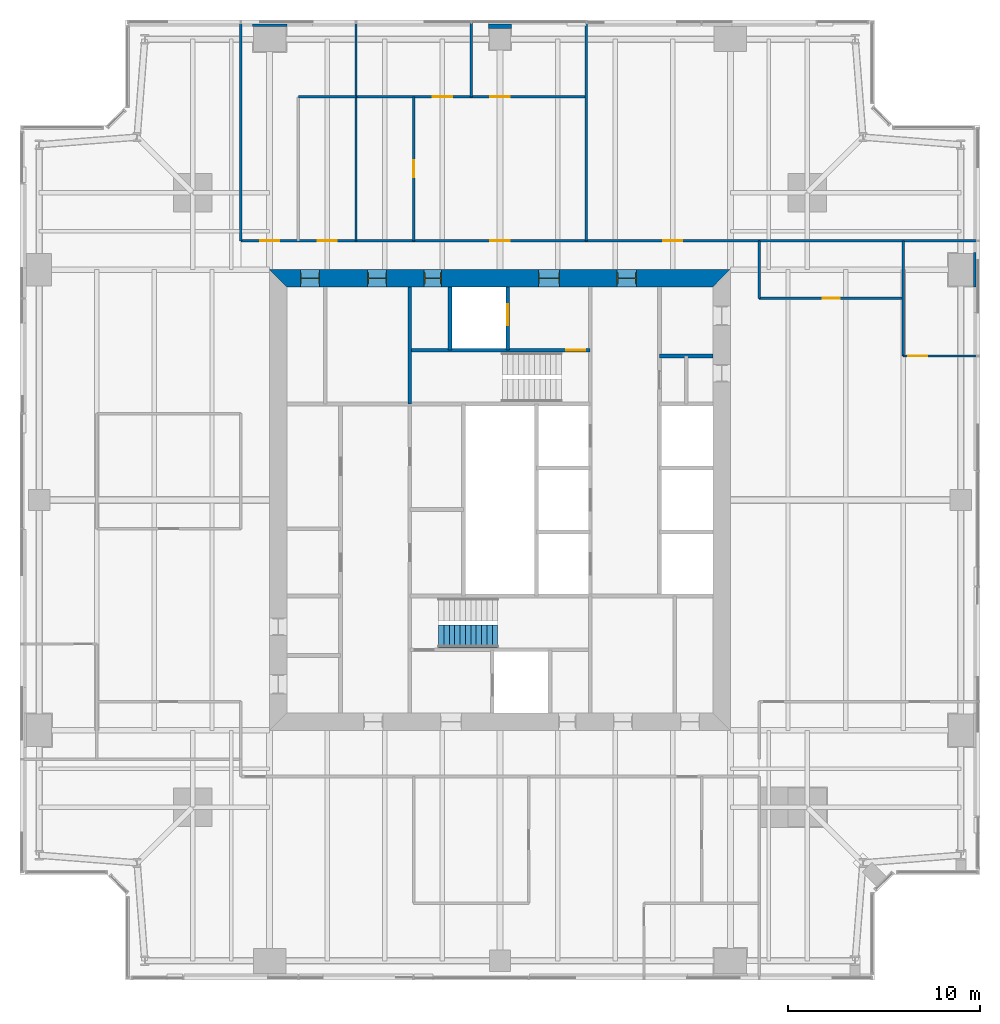
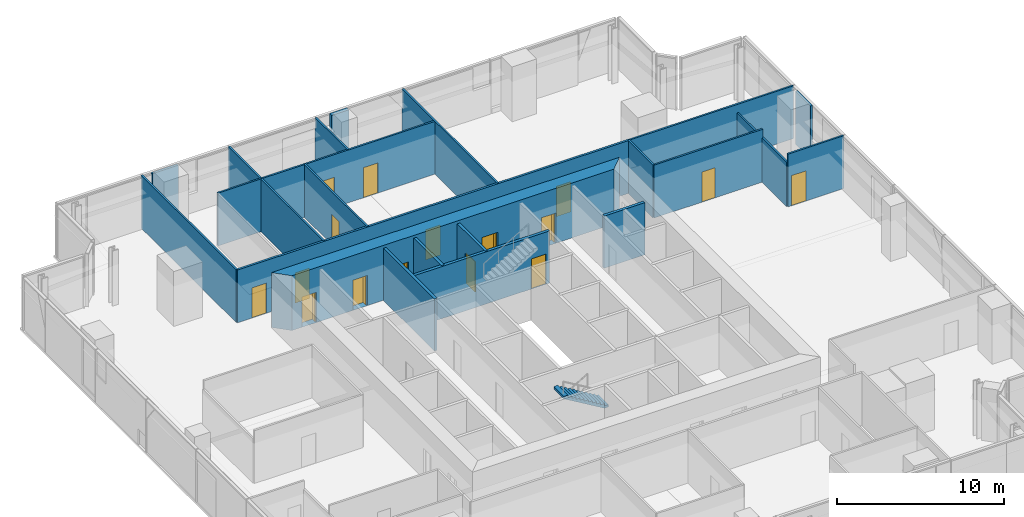
# One storey, part 11 of 14: 22 walls, 16 doors, 1 stair flight, 16 openings, 1 element without a shape of its own.
"""IFC4 building model written with IfcOpenShell, lengths in metres."""

from ifc_helpers import new_model, si_unit, direction, frame, frame_2d, origin, place, context, subcontext, project, spatial, polyline, rectangle, outline, extrude, material, layer, layer_set, type_object, element, fill, aggregate, save


model = new_model("IFC4")

# Units and contexts
model_context = context("Model", 3, precision=1e-05, world=origin(), true_north=direction((0.0, 1.0)))
body_context = subcontext(model_context, "Body", "Model", "MODEL_VIEW")
ifc_project = project(units=[si_unit("LENGTHUNIT", "METRE"), si_unit("AREAUNIT", "SQUARE_METRE"), si_unit("VOLUMEUNIT", "CUBIC_METRE"), si_unit("PLANEANGLEUNIT", "RADIAN"), si_unit("MASSUNIT", "GRAM", prefix="KILO")], contexts=[model_context])

# Site, building, storey
site_placement = place(None, origin())
site = spatial("IfcSite", under=ifc_project, at=site_placement, CompositionType="ELEMENT")
building_placement = place(site_placement, origin())
building = spatial("IfcBuilding", under=site, at=building_placement, Name="Fenwick Lantern Interchange", CompositionType="ELEMENT")
storey_placement = place(building_placement, frame((0.0, 0.0, 205.800048828125)))
storey = spatial("IfcBuildingStorey", under=building, at=storey_placement, Name="L48", CompositionType="ELEMENT", Elevation=205.800048828125)

# Walls
ifc_material_1 = material(Name="Fire-rated gypsum board encasement on steel studs, 2 hour", Category="steel")
ifc_layer_1 = layer(ifc_material_1, 1.199951171875)
ifc_layer_set_1 = layer_set([ifc_layer_1], Name="COLUMN PIER 1200")
wall_type_1 = type_object("IfcWallType", Name="COLUMN PIER 1200", PredefinedType="PARTITIONING", material=ifc_layer_set_1)
wall_1_placement = place(storey_placement, frame((25.0, 49.800048828125, 0.0), z_axis=(0.0, 0.0, 1.0), x_axis=(0.0, -1.0, 0.0)))
element("IfcWall", 1, at=wall_1_placement, inside=storey, type_object=wall_type_1, Name="L48/W/PIER/CN3", PredefinedType="PARTITIONING", context=body_context, shape_type="SweptSolid", body=[
    extrude(rectangle(XDim=0.25, YDim=1.199951171875, at=frame_2d((0.125, 0.0))), origin(), (0.0, 0.0, 1.0), 3.849853515625),
])
ifc_layer_2 = layer(ifc_material_1, 1.800048828125)
ifc_layer_set_2 = layer_set([ifc_layer_2], Name="COLUMN PIER 1800")
wall_type_2 = type_object("IfcWallType", Name="COLUMN PIER 1800", PredefinedType="PARTITIONING", material=ifc_layer_set_2)
for number, where, z_axis, x_axis, name in (
    (2, (49.800048828125, 37.0, 0.0), (0.0, 0.0, 1.0), (-1.0, 0.0, 0.0), "L48/W/PIER/CE4"),
    (3, (13.0, 49.800048828125, 0.0), (0.0, 0.0, 1.0), (0.0, -1.0, 0.0), "L48/W/PIER/CN4"),
):
    element("IfcWall", number, at=place(storey_placement, frame(where, z_axis=z_axis, x_axis=x_axis)), inside=storey, type_object=wall_type_2, Name=name, PredefinedType="PARTITIONING", context=body_context, shape_type="SweptSolid", body=[
        extrude(rectangle(XDim=0.150146484375, YDim=1.800048828125, at=frame_2d((0.0751953125, 0.0))), origin(), (0.0, 0.0, 1.0), 3.849853515625),
    ])

# Wall, opening, door
ifc_material_2 = material(Name="Concrete masonry ASTM C90 Grade N", Category="masonry")
ifc_layer_3 = layer(ifc_material_2, 0.199951171875)
ifc_layer_set_3 = layer_set([ifc_layer_3], Name="Concrete masonry ASTM C90 Grade N")
wall_type_3 = type_object("IfcWallType", Name="CORE PARTITION 200", PredefinedType="PARTITIONING", material=ifc_layer_set_3)
wall_2_placement = place(storey_placement, frame((25.39990234375, 36.10009765625, 0.0), z_axis=(0.0, 0.0, 1.0), x_axis=(0.0, -1.0, 0.0)))
wall_2 = element("IfcWall", 4, at=wall_2_placement, inside=storey, type_object=wall_type_3, Name="L48/W/COREN/h1", PredefinedType="PARTITIONING", context=body_context, shape_type="SweptSolid", body=[
    extrude(rectangle(XDim=3.300048828125, YDim=0.199951171875, at=frame_2d((1.64990234375, 0.0))), origin(), (0.0, 0.0, 1.0), 3.800048828125),
])
opening_1_placement = place(wall_2_placement, frame((0.89990234375, 0.0, 0.0)))
opening_1 = element("IfcOpeningElement", 5, at=opening_1_placement, cuts=wall_2, Name="Opening LD-FL2", PredefinedType="OPENING", context=body_context, shape_type="SweptSolid", body=[
    extrude(rectangle(XDim=1.10009765625, YDim=2.199951171875, at=frame_2d((0.550048828125, 1.10009765625))), frame((0.0, 0.10986328125, 0.0), z_axis=(0.0, -1.0, 0.0), x_axis=(1.0, 0.0, 0.0)), (0.0, 0.0, 1.0), 0.219970703125),
])
ifc_material_3 = material(Name="Steel door and frame", Category="steel")
door_type_1 = type_object("IfcDoorType", Name="LIFT LANDING DOOR 1100 X 2200", OperationType="DOUBLE_DOOR_SLIDING", PredefinedType="DOOR", material=ifc_material_3)
door_1_placement = place(opening_1_placement, origin())
door_1 = element("IfcDoor", 6, at=door_1_placement, inside=storey, type_object=door_type_1, Name="Lift landing door FL2", OperationType="DOUBLE_DOOR_SLIDING", OverallHeight=2.199951171875, OverallWidth=1.10009765625, PredefinedType="DOOR", context=body_context, shape_type="SweptSolid", body=[
    extrude(rectangle(XDim=1.10009765625, YDim=2.199951171875, at=frame_2d((0.550048828125, 1.10009765625))), frame((0.0, 0.02490234375, 0.0), z_axis=(0.0, -1.0, 0.0), x_axis=(1.0, 0.0, 0.0)), (0.0, 0.0, 1.0), 0.050048828125),
])
fill(opening_1, door_1)

# Walls
wall_3_placement = place(storey_placement, frame((22.39990234375, 36.10009765625, 0.0), z_axis=(0.0, 0.0, 1.0), x_axis=(0.0, -1.0, 0.0)))
element("IfcWall", 7, at=wall_3_placement, inside=storey, type_object=wall_type_3, Name="L48/W/COREN/h2", PredefinedType="PARTITIONING", context=body_context, shape_type="SweptSolid", body=[
    extrude(rectangle(XDim=3.300048828125, YDim=0.199951171875, at=frame_2d((1.64990234375, 0.0))), origin(), (0.0, 0.0, 1.0), 3.800048828125),
])
wall_4_placement = place(storey_placement, frame((36.10009765625, 32.5, 0.0), z_axis=(0.0, 0.0, 1.0), x_axis=(-1.0, 0.0, 0.0)))
element("IfcWall", 8, at=wall_4_placement, inside=storey, type_object=wall_type_3, Name="L48/W/COREN/p1", PredefinedType="PARTITIONING", context=body_context, shape_type="SweptSolid", body=[
    extrude(rectangle(XDim=2.800048828125, YDim=0.199951171875, at=frame_2d((1.39990234375, 0.0))), origin(), (0.0, 0.0, 1.0), 3.800048828125),
])

# Wall, openings, doors
ifc_material_4 = material(Name="Concrete f'c 70 MPa", Category="concrete")
ifc_layer_4 = layer(ifc_material_4, 0.89990234375)
ifc_layer_set_4 = layer_set([ifc_layer_4], Name="CORE WALL 900")
wall_type_4 = type_object("IfcWallType", Name="CORE WALL 900", PredefinedType="SHEAR", material=ifc_layer_set_4)
wall_5_placement = place(storey_placement, frame((37.0, 36.550048828125, 0.0), z_axis=(0.0, 0.0, 1.0), x_axis=(-1.0, 0.0, 0.0)))
wall_5 = element("IfcWall", 9, at=wall_5_placement, inside=storey, type_object=wall_type_4, Name="L48/CORE/N", PredefinedType="SHEAR", context=body_context, shape_type="SweptSolid", body=[
    extrude(outline(polyline([(0.0, -0.449951171875), (24.0, -0.449951171875), (23.10009765625, 0.449951171875), (0.89990234375, 0.449951171875), (0.0, -0.449951171875)])), origin(), (0.0, 0.0, 1.0), 4.0),
])
opening_2_placement = place(wall_5_placement, frame((4.89990234375, 0.0, 0.0)))
opening_2 = element("IfcOpeningElement", 10, at=opening_2_placement, cuts=wall_5, Name="Opening L48-D013", PredefinedType="OPENING", context=body_context, shape_type="SweptSolid", body=[
    extrude(rectangle(XDim=1.0, YDim=2.199951171875, at=frame_2d((0.5, 1.10009765625))), frame((0.0, 0.4599609375, 0.0), z_axis=(0.0, -1.0, 0.0), x_axis=(1.0, 0.0, 0.0)), (0.0, 0.0, 1.0), 0.919921875),
])
opening_3_placement = place(wall_5_placement, frame((8.89990234375, 0.0, 0.0)))
opening_3 = element("IfcOpeningElement", 11, at=opening_3_placement, cuts=wall_5, Name="Opening L48-D014", PredefinedType="OPENING", context=body_context, shape_type="SweptSolid", body=[
    extrude(rectangle(XDim=1.10009765625, YDim=2.199951171875, at=frame_2d((0.550048828125, 1.10009765625))), frame((0.0, 0.4599609375, 0.0), z_axis=(0.0, -1.0, 0.0), x_axis=(1.0, 0.0, 0.0)), (0.0, 0.0, 1.0), 0.919921875),
])
opening_4_placement = place(wall_5_placement, frame((15.050048828125, 0.0, 0.0)))
opening_4 = element("IfcOpeningElement", 12, at=opening_4_placement, cuts=wall_5, Name="Opening L48-D016", PredefinedType="OPENING", context=body_context, shape_type="SweptSolid", body=[
    extrude(rectangle(XDim=0.89990234375, YDim=2.199951171875, at=frame_2d((0.449951171875, 1.10009765625))), frame((0.0, 0.4599609375, 0.0), z_axis=(0.0, -1.0, 0.0), x_axis=(1.0, 0.0, 0.0)), (0.0, 0.0, 1.0), 0.919921875),
])
opening_5_placement = place(wall_5_placement, frame((17.89990234375, 0.0, 0.0)))
opening_5 = element("IfcOpeningElement", 13, at=opening_5_placement, cuts=wall_5, Name="Opening L48-D017", PredefinedType="OPENING", context=body_context, shape_type="SweptSolid", body=[
    extrude(rectangle(XDim=1.0, YDim=2.199951171875, at=frame_2d((0.5, 1.10009765625))), frame((0.0, 0.4599609375, 0.0), z_axis=(0.0, -1.0, 0.0), x_axis=(1.0, 0.0, 0.0)), (0.0, 0.0, 1.0), 0.919921875),
])
opening_6_placement = place(wall_5_placement, frame((21.39990234375, 0.0, 0.0)))
opening_6 = element("IfcOpeningElement", 14, at=opening_6_placement, cuts=wall_5, Name="Opening L48-D018", PredefinedType="OPENING", context=body_context, shape_type="SweptSolid", body=[
    extrude(rectangle(XDim=1.0, YDim=2.199951171875, at=frame_2d((0.5, 1.10009765625))), frame((0.0, 0.4599609375, 0.0), z_axis=(0.0, -1.0, 0.0), x_axis=(1.0, 0.0, 0.0)), (0.0, 0.0, 1.0), 0.919921875),
])
door_type_2 = type_object("IfcDoorType", Name="CORE LOBBY DOOR 1000 X 2200", OperationType="SINGLE_SWING_LEFT", PredefinedType="DOOR", material=ifc_material_3)
door_2_placement = place(opening_2_placement, origin())
door_2 = element("IfcDoor", 15, at=door_2_placement, inside=storey, type_object=door_type_2, Name="Core lobby door", OperationType="SINGLE_SWING_LEFT", OverallHeight=2.199951171875, OverallWidth=1.0, PredefinedType="DOOR", context=body_context, shape_type="SweptSolid", body=[
    extrude(rectangle(XDim=1.0, YDim=2.199951171875, at=frame_2d((0.5, 1.10009765625))), frame((0.0, 0.02490234375, 0.0), z_axis=(0.0, -1.0, 0.0), x_axis=(1.0, 0.0, 0.0)), (0.0, 0.0, 1.0), 0.050048828125),
    extrude(outline(polyline([(0.0, 0.0), (0.0400390625, 0.0), (0.0400390625, 2.159912109375), (0.9599609375, 2.159912109375), (0.9599609375, 0.0), (1.0, 0.0), (1.0, 2.199951171875), (0.0, 2.199951171875), (0.0, 0.0)])), frame((0.0, 0.300048828125, 0.0), z_axis=(0.0, -1.0, 0.0), x_axis=(1.0, 0.0, 0.0)), (0.0, 0.0, 1.0), 0.60009765625),
])
fill(opening_2, door_2)
door_type_3 = type_object("IfcDoorType", Name="FIRE LOBBY DOOR 1100 X 2200", OperationType="SINGLE_SWING_LEFT", PredefinedType="DOOR", material=ifc_material_3)
door_3_placement = place(opening_3_placement, origin())
door_3 = element("IfcDoor", 16, at=door_3_placement, inside=storey, type_object=door_type_3, Name="Fire lobby door", OperationType="SINGLE_SWING_LEFT", OverallHeight=2.199951171875, OverallWidth=1.10009765625, PredefinedType="DOOR", context=body_context, shape_type="SweptSolid", body=[
    extrude(rectangle(XDim=1.10009765625, YDim=2.199951171875, at=frame_2d((0.550048828125, 1.10009765625))), frame((0.0, 0.02490234375, 0.0), z_axis=(0.0, -1.0, 0.0), x_axis=(1.0, 0.0, 0.0)), (0.0, 0.0, 1.0), 0.050048828125),
    extrude(outline(polyline([(0.0, 0.0), (0.0400390625, 0.0), (0.0400390625, 2.159912109375), (1.06005859375, 2.159912109375), (1.06005859375, 0.0), (1.10009765625, 0.0), (1.10009765625, 2.199951171875), (0.0, 2.199951171875), (0.0, 0.0)])), frame((0.0, 0.300048828125, 0.0), z_axis=(0.0, -1.0, 0.0), x_axis=(1.0, 0.0, 0.0)), (0.0, 0.0, 1.0), 0.60009765625),
])
fill(opening_3, door_3)
door_type_4 = type_object("IfcDoorType", Name="SERVICE DOOR 900 X 2200", OperationType="SINGLE_SWING_LEFT", PredefinedType="DOOR", material=ifc_material_3)
door_4_placement = place(opening_4_placement, origin())
door_4 = element("IfcDoor", 17, at=door_4_placement, inside=storey, type_object=door_type_4, Name="Service door", OperationType="SINGLE_SWING_LEFT", OverallHeight=2.199951171875, OverallWidth=0.89990234375, PredefinedType="DOOR", context=body_context, shape_type="SweptSolid", body=[
    extrude(rectangle(XDim=0.89990234375, YDim=2.199951171875, at=frame_2d((0.449951171875, 1.10009765625))), frame((0.0, 0.02490234375, 0.0), z_axis=(0.0, -1.0, 0.0), x_axis=(1.0, 0.0, 0.0)), (0.0, 0.0, 1.0), 0.050048828125),
    extrude(outline(polyline([(0.0, 0.0), (0.0400390625, 0.0), (0.0400390625, 2.159912109375), (0.85986328125, 2.159912109375), (0.85986328125, 0.0), (0.89990234375, 0.0), (0.89990234375, 2.199951171875), (0.0, 2.199951171875), (0.0, 0.0)])), frame((0.0, 0.300048828125, 0.0), z_axis=(0.0, -1.0, 0.0), x_axis=(1.0, 0.0, 0.0)), (0.0, 0.0, 1.0), 0.60009765625),
])
fill(opening_4, door_4)
ifc_material_5 = material(Name="Hardwood door and steel frame", Category="steel")
door_type_5 = type_object("IfcDoorType", Name="WC DOOR 1000 X 2200", OperationType="SINGLE_SWING_LEFT", PredefinedType="DOOR", material=ifc_material_5)
door_5_placement = place(opening_5_placement, origin())
door_5 = element("IfcDoor", 18, at=door_5_placement, inside=storey, type_object=door_type_5, Name="Wc door", OperationType="SINGLE_SWING_LEFT", OverallHeight=2.199951171875, OverallWidth=1.0, PredefinedType="DOOR", context=body_context, shape_type="SweptSolid", body=[
    extrude(rectangle(XDim=1.0, YDim=2.199951171875, at=frame_2d((0.5, 1.10009765625))), frame((0.0, 0.02490234375, 0.0), z_axis=(0.0, -1.0, 0.0), x_axis=(1.0, 0.0, 0.0)), (0.0, 0.0, 1.0), 0.050048828125),
    extrude(outline(polyline([(0.0, 0.0), (0.0400390625, 0.0), (0.0400390625, 2.159912109375), (0.9599609375, 2.159912109375), (0.9599609375, 0.0), (1.0, 0.0), (1.0, 2.199951171875), (0.0, 2.199951171875), (0.0, 0.0)])), frame((0.0, 0.300048828125, 0.0), z_axis=(0.0, -1.0, 0.0), x_axis=(1.0, 0.0, 0.0)), (0.0, 0.0, 1.0), 0.60009765625),
])
fill(opening_5, door_5)
door_6_placement = place(opening_6_placement, origin())
door_6 = element("IfcDoor", 19, at=door_6_placement, inside=storey, type_object=door_type_5, Name="Wc door", OperationType="SINGLE_SWING_LEFT", OverallHeight=2.199951171875, OverallWidth=1.0, PredefinedType="DOOR", context=body_context, shape_type="SweptSolid", body=[
    extrude(rectangle(XDim=1.0, YDim=2.199951171875, at=frame_2d((0.5, 1.10009765625))), frame((0.0, 0.02490234375, 0.0), z_axis=(0.0, -1.0, 0.0), x_axis=(1.0, 0.0, 0.0)), (0.0, 0.0, 1.0), 0.050048828125),
    extrude(outline(polyline([(0.0, 0.0), (0.0400390625, 0.0), (0.0400390625, 2.159912109375), (0.9599609375, 2.159912109375), (0.9599609375, 0.0), (1.0, 0.0), (1.0, 2.199951171875), (0.0, 2.199951171875), (0.0, 0.0)])), frame((0.0, 0.300048828125, 0.0), z_axis=(0.0, -1.0, 0.0), x_axis=(1.0, 0.0, 0.0)), (0.0, 0.0, 1.0), 0.60009765625),
])
fill(opening_6, door_6)

ifc_material_6 = material(Name="Gypsum board on steel studs, 1 hour", Category="steel")
ifc_layer_5 = layer(ifc_material_6, 0.14990234375)
ifc_layer_set_5 = layer_set([ifc_layer_5], Name="CORRIDOR WALL 150")
wall_type_5 = type_object("IfcWallType", Name="CORRIDOR WALL 150", PredefinedType="PARTITIONING", material=ifc_layer_set_5)
wall_6_placement = place(storey_placement, frame((38.5, 38.5, 0.0), z_axis=(0.0, 0.0, 1.0), x_axis=(-1.0, 0.0, 0.0)))
wall_6 = element("IfcWall", 20, at=wall_6_placement, inside=storey, type_object=wall_type_5, Name="L48/W/OFF/N/CW", PredefinedType="PARTITIONING", context=body_context, shape_type="SweptSolid", body=[
    extrude(rectangle(XDim=27.0, YDim=0.14990234375, at=frame_2d((13.5, 0.0))), origin(), (0.0, 0.0, 1.0), 3.849853515625),
])
opening_7_placement = place(wall_6_placement, frame((13.0, 0.0, 0.0)))
opening_7 = element("IfcOpeningElement", 21, at=opening_7_placement, cuts=wall_6, Name="Opening L48-D031", PredefinedType="OPENING", context=body_context, shape_type="SweptSolid", body=[
    extrude(rectangle(XDim=1.0, YDim=2.199951171875, at=frame_2d((0.5, 1.10009765625))), frame((0.0, 0.0849609375, 0.0), z_axis=(0.0, -1.0, 0.0), x_axis=(1.0, 0.0, 0.0)), (0.0, 0.0, 1.0), 0.169921875),
])
opening_8_placement = place(wall_6_placement, frame((4.0, 0.0, 0.0)))
opening_8 = element("IfcOpeningElement", 22, at=opening_8_placement, cuts=wall_6, Name="Opening L48-D035", PredefinedType="OPENING", context=body_context, shape_type="SweptSolid", body=[
    extrude(rectangle(XDim=1.0, YDim=2.199951171875, at=frame_2d((0.5, 1.10009765625))), frame((0.0, 0.0849609375, 0.0), z_axis=(0.0, -1.0, 0.0), x_axis=(1.0, 0.0, 0.0)), (0.0, 0.0, 1.0), 0.169921875),
])
opening_9_placement = place(wall_6_placement, frame((22.0, 0.0, 0.0)))
opening_9 = element("IfcOpeningElement", 23, at=opening_9_placement, cuts=wall_6, Name="Opening L48-D036", PredefinedType="OPENING", context=body_context, shape_type="SweptSolid", body=[
    extrude(rectangle(XDim=1.0, YDim=2.199951171875, at=frame_2d((0.5, 1.10009765625))), frame((0.0, 0.0849609375, 0.0), z_axis=(0.0, -1.0, 0.0), x_axis=(1.0, 0.0, 0.0)), (0.0, 0.0, 1.0), 0.169921875),
])
opening_10_placement = place(wall_6_placement, frame((25.0, 0.0, 0.0)))
opening_10 = element("IfcOpeningElement", 24, at=opening_10_placement, cuts=wall_6, Name="Opening L48-D037", PredefinedType="OPENING", context=body_context, shape_type="SweptSolid", body=[
    extrude(rectangle(XDim=1.0, YDim=2.199951171875, at=frame_2d((0.5, 1.10009765625))), frame((0.0, 0.0849609375, 0.0), z_axis=(0.0, -1.0, 0.0), x_axis=(1.0, 0.0, 0.0)), (0.0, 0.0, 1.0), 0.169921875),
])
door_type_6 = type_object("IfcDoorType", Name="SUITE ENTRANCE DOOR 1000 X 2200", OperationType="SINGLE_SWING_LEFT", PredefinedType="DOOR", material=ifc_material_3)
door_7_placement = place(opening_7_placement, frame((1.0, 0.0, 0.0), z_axis=(0.0, 0.0, 1.0), x_axis=(-1.0, 0.0, 0.0)))
door_7 = element("IfcDoor", 25, at=door_7_placement, inside=storey, type_object=door_type_6, Name="Suite entrance door", OperationType="SINGLE_SWING_RIGHT", OverallHeight=2.199951171875, OverallWidth=1.0, PredefinedType="DOOR", context=body_context, shape_type="SweptSolid", body=[
    extrude(rectangle(XDim=1.0, YDim=2.199951171875, at=frame_2d((0.5, 1.10009765625))), frame((0.0, 0.02490234375, 0.0), z_axis=(0.0, -1.0, 0.0), x_axis=(1.0, 0.0, 0.0)), (0.0, 0.0, 1.0), 0.050048828125),
])
fill(opening_7, door_7)
door_8_placement = place(opening_8_placement, frame((1.0, 0.0, 0.0), z_axis=(0.0, 0.0, 1.0), x_axis=(-1.0, 0.0, 0.0)))
door_8 = element("IfcDoor", 26, at=door_8_placement, inside=storey, type_object=door_type_6, Name="Suite entrance door", OperationType="SINGLE_SWING_LEFT", OverallHeight=2.199951171875, OverallWidth=1.0, PredefinedType="DOOR", context=body_context, shape_type="SweptSolid", body=[
    extrude(rectangle(XDim=1.0, YDim=2.199951171875, at=frame_2d((0.5, 1.10009765625))), frame((0.0, 0.02490234375, 0.0), z_axis=(0.0, -1.0, 0.0), x_axis=(1.0, 0.0, 0.0)), (0.0, 0.0, 1.0), 0.050048828125),
])
fill(opening_8, door_8)
door_9_placement = place(opening_9_placement, frame((1.0, 0.0, 0.0), z_axis=(0.0, 0.0, 1.0), x_axis=(-1.0, 0.0, 0.0)))
door_9 = element("IfcDoor", 27, at=door_9_placement, inside=storey, type_object=door_type_6, Name="Suite entrance door", OperationType="SINGLE_SWING_RIGHT", OverallHeight=2.199951171875, OverallWidth=1.0, PredefinedType="DOOR", context=body_context, shape_type="SweptSolid", body=[
    extrude(rectangle(XDim=1.0, YDim=2.199951171875, at=frame_2d((0.5, 1.10009765625))), frame((0.0, 0.02490234375, 0.0), z_axis=(0.0, -1.0, 0.0), x_axis=(1.0, 0.0, 0.0)), (0.0, 0.0, 1.0), 0.050048828125),
])
fill(opening_9, door_9)
door_10_placement = place(opening_10_placement, frame((1.0, 0.0, 0.0), z_axis=(0.0, 0.0, 1.0), x_axis=(-1.0, 0.0, 0.0)))
door_10 = element("IfcDoor", 28, at=door_10_placement, inside=storey, type_object=door_type_6, Name="Suite entrance door", OperationType="SINGLE_SWING_RIGHT", OverallHeight=2.199951171875, OverallWidth=1.0, PredefinedType="DOOR", context=body_context, shape_type="SweptSolid", body=[
    extrude(rectangle(XDim=1.0, YDim=2.199951171875, at=frame_2d((0.5, 1.10009765625))), frame((0.0, 0.02490234375, 0.0), z_axis=(0.0, -1.0, 0.0), x_axis=(1.0, 0.0, 0.0)), (0.0, 0.0, 1.0), 0.050048828125),
])
fill(opening_10, door_10)

# Wall, opening, door
ifc_material_7 = material(Name="Gypsum board on steel studs, acoustic", Category="steel")
ifc_layer_6 = layer(ifc_material_7, 0.125)
ifc_layer_set_6 = layer_set([ifc_layer_6], Name="OFFICE PARTITION 125")
wall_type_6 = type_object("IfcWallType", Name="OFFICE PARTITION 125", PredefinedType="PARTITIONING", material=ifc_layer_set_6)
wall_7_placement = place(storey_placement, frame((49.85009765625, 32.5, 0.0), z_axis=(0.0, 0.0, 1.0), x_axis=(-1.0, 0.0, 0.0)))
wall_7 = element("IfcWall", 29, at=wall_7_placement, inside=storey, type_object=wall_type_6, Name="L48/W/OFF/E/X325-1", PredefinedType="PARTITIONING", context=body_context, shape_type="SweptSolid", body=[
    extrude(rectangle(XDim=3.85009765625, YDim=0.125, at=frame_2d((1.925048828125, 0.0))), origin(), (0.0, 0.0, 1.0), 3.849853515625),
])
opening_11_placement = place(wall_7_placement, frame((2.60009765625, 0.0, 0.0)))
opening_11 = element("IfcOpeningElement", 30, at=opening_11_placement, cuts=wall_7, Name="Opening L48-D029", PredefinedType="OPENING", context=body_context, shape_type="SweptSolid", body=[
    extrude(rectangle(XDim=1.0, YDim=2.199951171875, at=frame_2d((0.5, 1.10009765625))), frame((0.0, 0.072509765625, 0.0), z_axis=(0.0, -1.0, 0.0), x_axis=(1.0, 0.0, 0.0)), (0.0, 0.0, 1.0), 0.14501953125),
])
door_type_7 = type_object("IfcDoorType", Name="MEETING ROOM DOOR 1000 X 2200", OperationType="SINGLE_SWING_LEFT", PredefinedType="DOOR", material=ifc_material_5)
door_11_placement = place(opening_11_placement, frame((1.0, 0.0, 0.0), z_axis=(0.0, 0.0, 1.0), x_axis=(-1.0, 0.0, 0.0)))
door_11 = element("IfcDoor", 31, at=door_11_placement, inside=storey, type_object=door_type_7, Name="Meeting room door", OperationType="SINGLE_SWING_LEFT", OverallHeight=2.199951171875, OverallWidth=1.0, PredefinedType="DOOR", context=body_context, shape_type="SweptSolid", body=[
    extrude(rectangle(XDim=1.0, YDim=2.199951171875, at=frame_2d((0.5, 1.10009765625))), frame((0.0, 0.02490234375, 0.0), z_axis=(0.0, -1.0, 0.0), x_axis=(1.0, 0.0, 0.0)), (0.0, 0.0, 1.0), 0.050048828125),
])
fill(opening_11, door_11)

wall_8_placement = place(storey_placement, frame((46.0, 35.5, 0.0), z_axis=(0.0, 0.0, 1.0), x_axis=(-1.0, 0.0, 0.0)))
wall_8 = element("IfcWall", 32, at=wall_8_placement, inside=storey, type_object=wall_type_6, Name="L48/W/OFF/E/X355-1", PredefinedType="PARTITIONING", context=body_context, shape_type="SweptSolid", body=[
    extrude(rectangle(XDim=7.5, YDim=0.125, at=frame_2d((3.75, 0.0))), origin(), (0.0, 0.0, 1.0), 3.849853515625),
])
opening_12_placement = place(wall_8_placement, frame((3.300048828125, 0.0, 0.0)))
opening_12 = element("IfcOpeningElement", 33, at=opening_12_placement, cuts=wall_8, Name="Opening L48-D030", PredefinedType="OPENING", context=body_context, shape_type="SweptSolid", body=[
    extrude(rectangle(XDim=0.89990234375, YDim=2.199951171875, at=frame_2d((0.449951171875, 1.10009765625))), frame((0.0, 0.072509765625, 0.0), z_axis=(0.0, -1.0, 0.0), x_axis=(1.0, 0.0, 0.0)), (0.0, 0.0, 1.0), 0.14501953125),
])
door_type_8 = type_object("IfcDoorType", Name="OFFICE DOOR 900 X 2200", OperationType="SINGLE_SWING_LEFT", PredefinedType="DOOR", material=ifc_material_5)
door_12_placement = place(opening_12_placement, frame((0.89990234375, 0.0, 0.0), z_axis=(0.0, 0.0, 1.0), x_axis=(-1.0, 0.0, 0.0)))
door_12 = element("IfcDoor", 34, at=door_12_placement, inside=storey, type_object=door_type_8, Name="Office door", OperationType="SINGLE_SWING_RIGHT", OverallHeight=2.199951171875, OverallWidth=0.89990234375, PredefinedType="DOOR", context=body_context, shape_type="SweptSolid", body=[
    extrude(rectangle(XDim=0.89990234375, YDim=2.199951171875, at=frame_2d((0.449951171875, 1.10009765625))), frame((0.0, 0.02490234375, 0.0), z_axis=(0.0, -1.0, 0.0), x_axis=(1.0, 0.0, 0.0)), (0.0, 0.0, 1.0), 0.050048828125),
])
fill(opening_12, door_12)

# Walls
wall_9_placement = place(storey_placement, frame((46.0, 32.5, 0.0), z_axis=(0.0, 0.0, 1.0), x_axis=(0.0, 1.0, 0.0)))
element("IfcWall", 35, at=wall_9_placement, inside=storey, type_object=wall_type_6, Name="L48/W/OFF/E/Y40-1", PredefinedType="PARTITIONING", context=body_context, shape_type="SweptSolid", body=[
    extrude(rectangle(XDim=6.0, YDim=0.125, at=frame_2d((3.0, 0.0))), origin(), (0.0, 0.0, 1.0), 3.23779296875),
])
wall_10_placement = place(storey_placement, frame((38.5, 35.5, 0.0), z_axis=(0.0, 0.0, 1.0), x_axis=(0.0, 1.0, 0.0)))
element("IfcWall", 36, at=wall_10_placement, inside=storey, type_object=wall_type_6, Name="L48/W/OFF/E/CWS2", PredefinedType="PARTITIONING", context=body_context, shape_type="SweptSolid", body=[
    extrude(rectangle(XDim=3.0, YDim=0.125, at=frame_2d((1.5, 0.0))), origin(), (0.0, 0.0, 1.0), 3.849853515625),
])
for number, where, z_axis, x_axis, name in (
    (37, (49.85009765625, 38.5, 0.0), (0.0, 0.0, 1.0), (-1.0, 0.0, 0.0), "L48/W/OFF/N/BACK"),
    (38, (29.5, 49.85009765625, 0.0), (0.0, 0.0, 1.0), (0.0, -1.0, 0.0), "L48/W/OFF/N/X205-1"),
):
    element("IfcWall", number, at=place(storey_placement, frame(where, z_axis=z_axis, x_axis=x_axis)), inside=storey, type_object=wall_type_6, Name=name, PredefinedType="PARTITIONING", context=body_context, shape_type="SweptSolid", body=[
        extrude(rectangle(XDim=11.35009765625, YDim=0.125, at=frame_2d((5.675048828125, 0.0))), origin(), (0.0, 0.0, 1.0), 3.849853515625),
    ])
wall_11_placement = place(storey_placement, frame((23.5, 49.85009765625, 0.0), z_axis=(0.0, 0.0, 1.0), x_axis=(0.0, -1.0, 0.0)))
element("IfcWall", 39, at=wall_11_placement, inside=storey, type_object=wall_type_6, Name="L48/W/OFF/N/X265-1", PredefinedType="PARTITIONING", context=body_context, shape_type="SweptSolid", body=[
    extrude(rectangle(XDim=3.85009765625, YDim=0.125, at=frame_2d((1.925048828125, 0.0))), origin(), (0.0, 0.0, 1.0), 3.849853515625),
])

# Wall, opening, door
wall_12_placement = place(storey_placement, frame((20.5, 46.0, 0.0), z_axis=(0.0, 0.0, 1.0), x_axis=(0.0, -1.0, 0.0)))
wall_12 = element("IfcWall", 40, at=wall_12_placement, inside=storey, type_object=wall_type_6, Name="L48/W/OFF/N/X295-1", PredefinedType="PARTITIONING", context=body_context, shape_type="SweptSolid", body=[
    extrude(rectangle(XDim=7.5, YDim=0.125, at=frame_2d((3.75, 0.0))), origin(), (0.0, 0.0, 1.0), 3.849853515625),
])
opening_13_placement = place(wall_12_placement, frame((3.300048828125, 0.0, 0.0)))
opening_13 = element("IfcOpeningElement", 41, at=opening_13_placement, cuts=wall_12, Name="Opening L48-D034", PredefinedType="OPENING", context=body_context, shape_type="SweptSolid", body=[
    extrude(rectangle(XDim=0.89990234375, YDim=2.199951171875, at=frame_2d((0.449951171875, 1.10009765625))), frame((0.0, 0.072509765625, 0.0), z_axis=(0.0, -1.0, 0.0), x_axis=(1.0, 0.0, 0.0)), (0.0, 0.0, 1.0), 0.14501953125),
])
door_13_placement = place(opening_13_placement, frame((0.89990234375, 0.0, 0.0), z_axis=(0.0, 0.0, 1.0), x_axis=(-1.0, 0.0, 0.0)))
door_13 = element("IfcDoor", 42, at=door_13_placement, inside=storey, type_object=door_type_8, Name="Office door", OperationType="SINGLE_SWING_RIGHT", OverallHeight=2.199951171875, OverallWidth=0.89990234375, PredefinedType="DOOR", context=body_context, shape_type="SweptSolid", body=[
    extrude(rectangle(XDim=0.89990234375, YDim=2.199951171875, at=frame_2d((0.449951171875, 1.10009765625))), frame((0.0, 0.02490234375, 0.0), z_axis=(0.0, -1.0, 0.0), x_axis=(1.0, 0.0, 0.0)), (0.0, 0.0, 1.0), 0.050048828125),
])
fill(opening_13, door_13)

# Wall
wall_13_placement = place(storey_placement, frame((17.5, 49.85009765625, 0.0), z_axis=(0.0, 0.0, 1.0), x_axis=(0.0, -1.0, 0.0)))
element("IfcWall", 43, at=wall_13_placement, inside=storey, type_object=wall_type_6, Name="L48/W/OFF/N/X325-1", PredefinedType="PARTITIONING", context=body_context, shape_type="SweptSolid", body=[
    extrude(rectangle(XDim=11.35009765625, YDim=0.125, at=frame_2d((5.675048828125, 0.0))), origin(), (0.0, 0.0, 1.0), 3.849853515625),
])

# Wall, openings, doors
wall_14_placement = place(storey_placement, frame((29.5, 46.0, 0.0), z_axis=(0.0, 0.0, 1.0), x_axis=(-1.0, 0.0, 0.0)))
wall_14 = element("IfcWall", 44, at=wall_14_placement, inside=storey, type_object=wall_type_6, Name="L48/W/OFF/N/Y40-1", PredefinedType="PARTITIONING", context=body_context, shape_type="SweptSolid", body=[
    extrude(rectangle(XDim=12.0, YDim=0.125, at=frame_2d((6.0, 0.0))), origin(), (0.0, 0.0, 1.0), 3.849853515625),
])
opening_14_placement = place(wall_14_placement, frame((4.0, 0.0, 0.0)))
opening_14 = element("IfcOpeningElement", 45, at=opening_14_placement, cuts=wall_14, Name="Opening L48-D032", PredefinedType="OPENING", context=body_context, shape_type="SweptSolid", body=[
    extrude(rectangle(XDim=1.0, YDim=2.199951171875, at=frame_2d((0.5, 1.10009765625))), frame((0.0, 0.072509765625, 0.0), z_axis=(0.0, -1.0, 0.0), x_axis=(1.0, 0.0, 0.0)), (0.0, 0.0, 1.0), 0.14501953125),
])
opening_15_placement = place(wall_14_placement, frame((7.0, 0.0, 0.0)))
opening_15 = element("IfcOpeningElement", 46, at=opening_15_placement, cuts=wall_14, Name="Opening L48-D033", PredefinedType="OPENING", context=body_context, shape_type="SweptSolid", body=[
    extrude(rectangle(XDim=1.0, YDim=2.199951171875, at=frame_2d((0.5, 1.10009765625))), frame((0.0, 0.072509765625, 0.0), z_axis=(0.0, -1.0, 0.0), x_axis=(1.0, 0.0, 0.0)), (0.0, 0.0, 1.0), 0.14501953125),
])
door_14_placement = place(opening_14_placement, frame((1.0, 0.0, 0.0), z_axis=(0.0, 0.0, 1.0), x_axis=(-1.0, 0.0, 0.0)))
door_14 = element("IfcDoor", 47, at=door_14_placement, inside=storey, type_object=door_type_7, Name="Meeting room door", OperationType="SINGLE_SWING_LEFT", OverallHeight=2.199951171875, OverallWidth=1.0, PredefinedType="DOOR", context=body_context, shape_type="SweptSolid", body=[
    extrude(rectangle(XDim=1.0, YDim=2.199951171875, at=frame_2d((0.5, 1.10009765625))), frame((0.0, 0.02490234375, 0.0), z_axis=(0.0, -1.0, 0.0), x_axis=(1.0, 0.0, 0.0)), (0.0, 0.0, 1.0), 0.050048828125),
])
fill(opening_14, door_14)
door_15_placement = place(opening_15_placement, frame((1.0, 0.0, 0.0), z_axis=(0.0, 0.0, 1.0), x_axis=(-1.0, 0.0, 0.0)))
door_15 = element("IfcDoor", 48, at=door_15_placement, inside=storey, type_object=door_type_7, Name="Meeting room door", OperationType="SINGLE_SWING_RIGHT", OverallHeight=2.199951171875, OverallWidth=1.0, PredefinedType="DOOR", context=body_context, shape_type="SweptSolid", body=[
    extrude(rectangle(XDim=1.0, YDim=2.199951171875, at=frame_2d((0.5, 1.10009765625))), frame((0.0, 0.02490234375, 0.0), z_axis=(0.0, -1.0, 0.0), x_axis=(1.0, 0.0, 0.0)), (0.0, 0.0, 1.0), 0.050048828125),
])
fill(opening_15, door_15)

# Walls
wall_15_placement = place(storey_placement, frame((17.5, 46.0, 0.0), z_axis=(0.0, 0.0, 1.0), x_axis=(-1.0, 0.0, 0.0)))
element("IfcWall", 49, at=wall_15_placement, inside=storey, type_object=wall_type_6, Name="L48/W/OFF/N/Y40-2", PredefinedType="PARTITIONING", context=body_context, shape_type="SweptSolid", body=[
    extrude(rectangle(XDim=3.0, YDim=0.125, at=frame_2d((1.5, 0.0))), origin(), (0.0, 0.0, 1.0), 3.849853515625),
])
wall_16_placement = place(storey_placement, frame((11.5, 49.85009765625, 0.0), z_axis=(0.0, 0.0, 1.0), x_axis=(0.0, -1.0, 0.0)))
element("IfcWall", 50, at=wall_16_placement, inside=storey, type_object=wall_type_6, Name="L48/W/OFF/W/BACK", PredefinedType="PARTITIONING", context=body_context, shape_type="SweptSolid", body=[
    extrude(rectangle(XDim=11.35009765625, YDim=0.125, at=frame_2d((5.675048828125, 0.0))), origin(), (0.0, 0.0, 1.0), 3.849853515625),
])

# Wall, opening, door
ifc_material_8 = material(Name="Concrete f'c 45 MPa", Category="concrete")
ifc_layer_7 = layer(ifc_material_8, 0.199951171875)
ifc_layer_set_7 = layer_set([ifc_layer_7], Name="STAIR CORE WALL 200")
wall_type_7 = type_object("IfcWallType", Name="STAIR CORE WALL 200", PredefinedType="SOLIDWALL", material=ifc_layer_set_7)
wall_17_placement = place(storey_placement, frame((29.699951171875, 32.800048828125, 0.0), z_axis=(0.0, 0.0, 1.0), x_axis=(-1.0, 0.0, 0.0)))
wall_17 = element("IfcWall", 51, at=wall_17_placement, inside=storey, type_object=wall_type_7, Name="L48/W/COREN/g1", PredefinedType="SOLIDWALL", context=body_context, shape_type="SweptSolid", body=[
    extrude(rectangle(XDim=9.39990234375, YDim=0.199951171875, at=frame_2d((4.699951171875, 0.0))), origin(), (0.0, 0.0, 1.0), 3.800048828125),
])
opening_16_placement = place(wall_17_placement, frame((0.25, 0.0, 0.0)))
opening_16 = element("IfcOpeningElement", 52, at=opening_16_placement, cuts=wall_17, Name="Opening L48-D015", PredefinedType="OPENING", context=body_context, shape_type="SweptSolid", body=[
    extrude(rectangle(XDim=1.0, YDim=2.199951171875, at=frame_2d((0.5, 1.10009765625))), frame((0.0, 0.10986328125, 0.0), z_axis=(0.0, -1.0, 0.0), x_axis=(1.0, 0.0, 0.0)), (0.0, 0.0, 1.0), 0.219970703125),
])
door_type_9 = type_object("IfcDoorType", Name="STAIR DOOR 1000 X 2200", OperationType="SINGLE_SWING_LEFT", PredefinedType="DOOR", material=ifc_material_3)
door_16_placement = place(opening_16_placement, origin())
door_16 = element("IfcDoor", 53, at=door_16_placement, inside=storey, type_object=door_type_9, Name="Stair door", OperationType="SINGLE_SWING_LEFT", OverallHeight=2.199951171875, OverallWidth=1.0, PredefinedType="DOOR", context=body_context, shape_type="SweptSolid", body=[
    extrude(rectangle(XDim=1.0, YDim=2.199951171875, at=frame_2d((0.5, 1.10009765625))), frame((0.0, 0.02490234375, 0.0), z_axis=(0.0, -1.0, 0.0), x_axis=(1.0, 0.0, 0.0)), (0.0, 0.0, 1.0), 0.050048828125),
])
fill(opening_16, door_16)

# Wall
wall_18_placement = place(storey_placement, frame((20.300048828125, 36.10009765625, 0.0), z_axis=(0.0, 0.0, 1.0), x_axis=(0.0, -1.0, 0.0)))
element("IfcWall", 54, at=wall_18_placement, inside=storey, type_object=wall_type_7, Name="L48/W/COREN/i1", PredefinedType="SOLIDWALL", context=body_context, shape_type="SweptSolid", body=[
    extrude(rectangle(XDim=6.10009765625, YDim=0.199951171875, at=frame_2d((3.050048828125, 0.0))), origin(), (0.0, 0.0, 1.0), 3.800048828125),
])

# Stair, stair flight
ifc_material_9 = material(Name="Precast concrete f'c 35 MPa", Category="concrete")
stair_type = type_object("IfcStairType", Name="EXIT STAIR 1200", PredefinedType="HALF_TURN_STAIR", material=ifc_material_9)
stair_placement = place(storey_placement, origin())
stair = element("IfcStair", 55, at=stair_placement, inside=storey, type_object=stair_type, Name="Exit stair ST1", PredefinedType="HALF_TURN_STAIR")
stair_flight_type = type_object("IfcStairFlightType", Name="STAIR FLIGHT 1200", PredefinedType="STRAIGHT", material=ifc_material_9)
stair_flight_placement = place(storey_placement, frame((24.8798828125, 17.89990234375, 2.0), z_axis=(0.0, 0.0, 1.0), x_axis=(-1.0, 0.0, 0.0)))
stair_flight = element("IfcStairFlight", 56, at=stair_flight_placement, type_object=stair_flight_type, Name="ST1 flight 2", NumberOfRisers=12, NumberOfTreads=11, PredefinedType="STRAIGHT", RiserHeight=0.166666667, TreadLength=0.28, context=body_context, shape_type="SweptSolid", body=[
    extrude(outline(polyline([(0.0, 0.0), (0.0, 0.166748046875), (0.280029296875, 0.166748046875), (0.280029296875, 0.333251953125), (0.56005859375, 0.333251953125), (0.56005859375, 0.5), (0.840087890625, 0.5), (0.840087890625, 0.666748046875), (1.1201171875, 0.666748046875), (1.1201171875, 0.833251953125), (1.39990234375, 0.833251953125), (1.39990234375, 1.0), (1.679931640625, 1.0), (1.679931640625, 1.166748046875), (1.9599609375, 1.166748046875), (1.9599609375, 1.333251953125), (2.239990234375, 1.333251953125), (2.239990234375, 1.5), (2.52001953125, 1.5), (2.52001953125, 1.666748046875), (2.800048828125, 1.666748046875), (2.800048828125, 1.833251953125), (3.080078125, 1.833251953125), (3.080078125, 2.0), (3.080078125, 1.658935546875), (0.29296875, 0.0), (0.0, 0.0)])), frame((0.0, 0.60009765625, 0.0), z_axis=(0.0, -1.0, 0.0), x_axis=(1.0, 0.0, 0.0)), (0.0, 0.0, 1.0), 1.199951171875),
])
aggregate(stair, [stair_flight])

save(model, "model.ifc")
